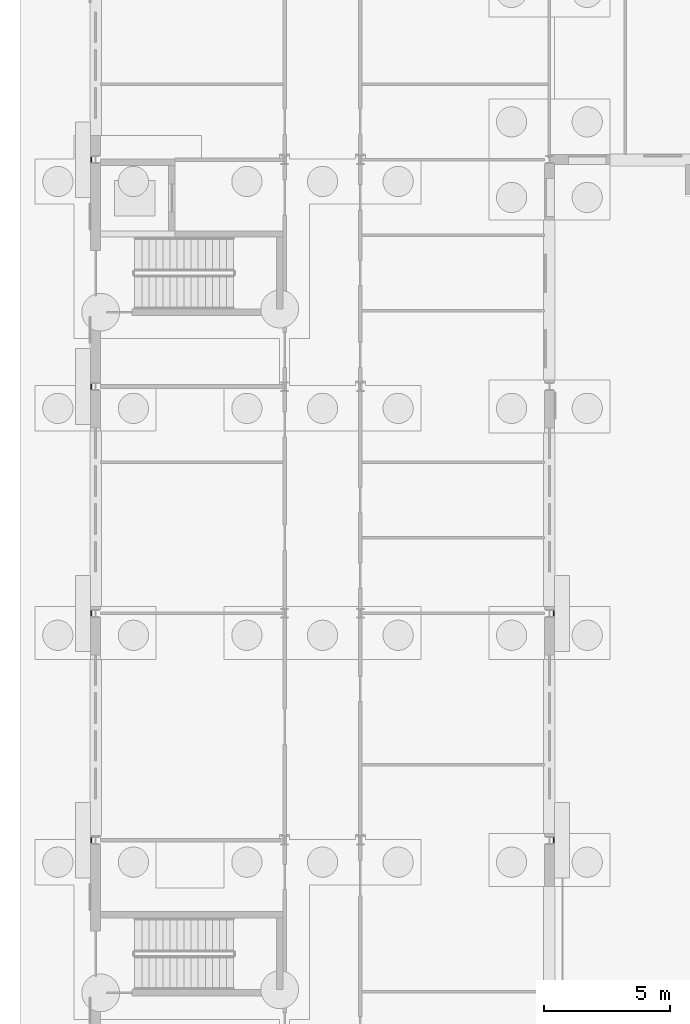
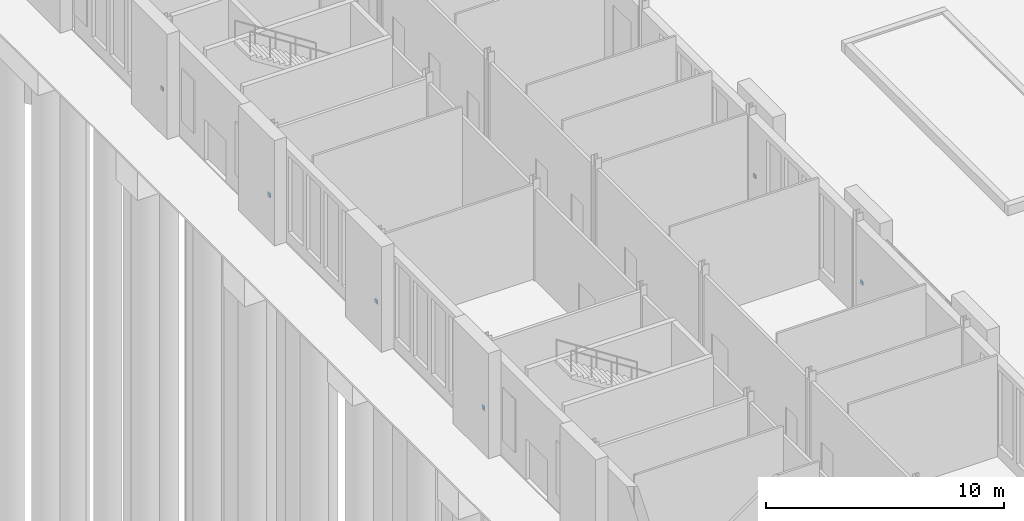
# One storey, part 118 of 168: 6 discrete accessories.
"""IFC4 building model written with IfcOpenShell, lengths in metres."""

import ifcopenshell
import ifcopenshell.guid

model = None  # the IFC model being written
_history = None  # IfcOwnerHistory: only IFC2X3 demands one
_inside = {}  # id of a spatial element -> (the spatial element, [elements in it])
_under = {}  # id of a project, library or spatial element -> (it, [spatial elements below it])
_declared = {}  # id of a project -> (the project, [libraries it declares])
_typed = {}  # id of a type object -> (the type object, [elements of that type])
_made_of = {}  # id of a material, layer set ... -> (it, [elements and type objects made of it])


def new_model(schema):
    """Start an empty IFC model of exactly this schema.

    Asked for "IFC4X3", IfcOpenShell would pick the latest addendum, in which some entities
    have other attributes; the version numbers below select the first issue.
    IFC2X3 requires an IfcOwnerHistory on every rooted entity: one is made here for all.
    """
    global model, _history
    if schema == "IFC4X3":
        model = ifcopenshell.file(schema_version=(4, 3, 0, 0))
    else:
        model = ifcopenshell.file(schema=schema)
    _inside.clear()
    _under.clear()
    _declared.clear()
    _typed.clear()
    _made_of.clear()
    _history = None
    if model.schema == "IFC2X3":
        org = make("IfcOrganization", Name="unknown")
        user = make(
            "IfcPersonAndOrganization",
            ThePerson=make("IfcPerson", FamilyName="unknown"),
            TheOrganization=org,
        )
        app = make(
            "IfcApplication",
            ApplicationDeveloper=org,
            Version="unknown",
            ApplicationFullName="unknown",
            ApplicationIdentifier="unknown",
        )
        _history = make(
            "IfcOwnerHistory",
            OwningUser=user,
            OwningApplication=app,
            ChangeAction="ADDED",
            CreationDate=0,
        )
    return model


def make(cls, **values):
    """One entity of the class cls with the attributes given. An attribute that is None is left unset."""
    return model.create_entity(
        cls, **{name: value for name, value in values.items() if value is not None}
    )


def rooted(cls, **values):
    """An entity with a GlobalId (a new one), such as an element, a storey or a relation."""
    return make(cls, GlobalId=ifcopenshell.guid.new(), OwnerHistory=_history, **values)


def si_unit(unit_type, name, prefix=None):
    """IfcSIUnit, for example si_unit("LENGTHUNIT", "METRE", prefix="MILLI")."""
    return make("IfcSIUnit", UnitType=unit_type, Prefix=prefix, Name=name)


def assignment(units):
    """IfcUnitAssignment: the units of a project."""
    return None if units is None else make("IfcUnitAssignment", Units=units)


def point(xyz):
    """IfcCartesianPoint."""
    return None if xyz is None else make("IfcCartesianPoint", Coordinates=xyz)


def direction(xyz):
    """IfcDirection."""
    return None if xyz is None else make("IfcDirection", DirectionRatios=xyz)


def frame(location, z_axis=None, x_axis=None):
    """IfcAxis2Placement3D, a coordinate frame: its origin and axes. An axis left out is left unset."""
    return make(
        "IfcAxis2Placement3D",
        Location=point(location),
        Axis=direction(z_axis),
        RefDirection=direction(x_axis),
    )


def frame_2d(location, x_axis=None):
    """IfcAxis2Placement2D, a coordinate frame in the plane: its origin and x axis."""
    return make(
        "IfcAxis2Placement2D", Location=point(location), RefDirection=direction(x_axis)
    )


def origin():
    """The frame at (0, 0, 0) with its axes left unset."""
    return frame((0.0, 0.0, 0.0))


def origin_2d():
    """The frame at (0, 0) in the plane with its x axis left unset."""
    return frame_2d((0.0, 0.0))


def place(relative_to, where):
    """IfcLocalPlacement: puts the frame where relative to a parent placement (None: the world)."""
    return make(
        "IfcLocalPlacement", PlacementRelTo=relative_to, RelativePlacement=where
    )


def context(
    kind, dimensions, precision=None, world=None, true_north=None, identifier=None
):
    """IfcGeometricRepresentationContext, for example the 3D "Model" context."""
    return make(
        "IfcGeometricRepresentationContext",
        ContextIdentifier=identifier,
        ContextType=kind,
        CoordinateSpaceDimension=dimensions,
        Precision=precision,
        WorldCoordinateSystem=world,
        TrueNorth=true_north,
    )


def subcontext(parent, identifier, kind, view, scale=None):
    """IfcGeometricRepresentationSubContext, for example "Body" below "Model"."""
    return make(
        "IfcGeometricRepresentationSubContext",
        ContextIdentifier=identifier,
        ContextType=kind,
        ParentContext=parent,
        TargetScale=scale,
        TargetView=view,
    )


def project(units=None, contexts=None):
    """IfcProject with its units and contexts."""
    return rooted(
        "IfcProject",
        Name="project",
        RepresentationContexts=contexts,
        UnitsInContext=assignment(units),
    )


def spatial(cls, under=None, at=None, **own):
    """A site, building, storey or space (cls), placed at a placement, below another one or the project."""
    s = rooted(cls, ObjectPlacement=at, **own)
    if under is not None:
        _under.setdefault(under.id(), (under, []))[1].append(s)
    return s


def profile(cls, at=None, kind="AREA", **sizes):
    """A parametric profile (cls). Its sizes go by their IFC names, for example OverallWidth=200.0."""
    return make(cls, ProfileType=kind, Position=at, **sizes)


def rectangle(**sizes):
    """IfcRectangleProfileDef."""
    return profile("IfcRectangleProfileDef", **sizes)


def extrude(swept, where, along, depth):
    """IfcExtrudedAreaSolid: the profile swept, set in the frame where, extruded along a direction by depth."""
    return make(
        "IfcExtrudedAreaSolid",
        SweptArea=swept,
        Position=where,
        ExtrudedDirection=direction(along),
        Depth=depth,
    )


def shape(context_of_items, identifier, shape_type, items):
    """IfcShapeRepresentation: the items that make up one representation, for example the "Body"."""
    return make(
        "IfcShapeRepresentation",
        ContextOfItems=context_of_items,
        RepresentationIdentifier=identifier,
        RepresentationType=shape_type,
        Items=items,
    )


def material(Name=None, Category=None):
    """IfcMaterial."""
    return make("IfcMaterial", Name=Name, Category=Category)


def made_of(thing, what):
    """Note that an element or type object is made of a material, layer set ...; save() writes the relation."""
    if what is not None:
        _made_of.setdefault(what.id(), (what, []))[1].append(thing)
    return thing


def type_object(cls, material=None, **own):
    """A type object (cls), such as IfcWallType, which elements share."""
    return made_of(rooted(cls, **own), material)


def element(
    cls,
    number,
    at=None,
    inside=None,
    cuts=None,
    type_object=None,
    material=None,
    context=None,
    identifier="Body",
    shape_type=None,
    held_by="IfcProductDefinitionShape",
    body=None,
    shapes=None,
    **own,
):
    """One element of the class cls, such as IfcWall. Its Tag is "e" and its number.

    at: its placement. inside: the storey or other place that contains it. cuts: it is an
    opening in that element (IfcRelVoidsElement). A single representation is given by context,
    identifier, shape_type and body (its items); several are given by shapes. held_by: the class
    of the entity that holds the representations. save() writes the other relations.
    """
    e = rooted(cls, Tag="e%d" % number, ObjectPlacement=at, **own)
    if body is not None:
        shapes = [shape(context, identifier, shape_type, body)]
    if shapes is not None:
        e.Representation = make(held_by, Representations=shapes)
    if inside is not None:
        _inside.setdefault(inside.id(), (inside, []))[1].append(e)
    if cuts is not None:
        rooted(
            "IfcRelVoidsElement", RelatingBuildingElement=cuts, RelatedOpeningElement=e
        )
    if type_object is not None:
        _typed.setdefault(type_object.id(), (type_object, []))[1].append(e)
    return made_of(e, material)


def aggregate(whole, parts):
    """IfcRelAggregates: a whole, such as a stair, and the parts it consists of."""
    return rooted("IfcRelAggregates", RelatingObject=whole, RelatedObjects=parts)


def save(model, path):
    """Write the relations noted so far, then the file.

    IfcRelAggregates (storeys below a building ...), IfcRelContainedInSpatialStructure (elements
    in a storey), IfcRelDefinesByType, IfcRelAssociatesMaterial and IfcRelDeclares: one each for
    every whole, place, type object, material and project.
    """
    for whole, parts in _under.values():
        aggregate(whole, parts)
    for where, things in _inside.values():
        rooted(
            "IfcRelContainedInSpatialStructure",
            RelatedElements=things,
            RelatingStructure=where,
        )
    for kind, things in _typed.values():
        rooted("IfcRelDefinesByType", RelatedObjects=things, RelatingType=kind)
    for what, things in _made_of.values():
        rooted("IfcRelAssociatesMaterial", RelatedObjects=things, RelatingMaterial=what)
    for by, libraries in _declared.values():
        rooted("IfcRelDeclares", RelatingContext=by, RelatedDefinitions=libraries)
    model.write(path)


model = new_model("IFC4")

# Units and contexts
model_context = context("Model", 3, precision=1e-05, world=origin(), true_north=direction((0.0, 1.0)))
body_context = subcontext(model_context, "Body", "Model", "MODEL_VIEW")
ifc_project = project(units=[si_unit("LENGTHUNIT", "METRE"), si_unit("AREAUNIT", "SQUARE_METRE"), si_unit("VOLUMEUNIT", "CUBIC_METRE"), si_unit("PLANEANGLEUNIT", "RADIAN"), si_unit("MASSUNIT", "GRAM", prefix="KILO")], contexts=[model_context])

# Site, building, storey
site_placement = place(None, origin())
site = spatial("IfcSite", under=ifc_project, at=site_placement, CompositionType="ELEMENT")
building_placement = place(site_placement, origin())
building = spatial("IfcBuilding", under=site, at=building_placement, Name="Golden Quay Civic Hall", CompositionType="ELEMENT")
storey_placement = place(building_placement, origin())
storey = spatial("IfcBuildingStorey", under=building, at=storey_placement, Name="L00", CompositionType="ELEMENT", Elevation=0.0)

# Discrete accessories
ifc_material = material(Name="Steel S355", Category="steel")
discrete_accessory_type = type_object("IfcDiscreteAccessoryType", Name="Pier fixing bracket 200 x 200", PredefinedType="BRACKET", material=ifc_material)
for number, where, z_axis, x_axis, name in (
    (1, (-0.175048828125, 36.0, 1.39990234375), (0.0, 0.0, 1.0), (0.0, -1.0, 0.0), "Pier fixing bracket 200 x 200 L00 4"),
    (2, (-0.175048828125, 45.0, 1.39990234375), (0.0, 0.0, 1.0), (0.0, -1.0, 0.0), "Pier fixing bracket 200 x 200 L00 5"),
    (3, (-0.175048828125, 54.0, 1.39990234375), (0.0, 0.0, 1.0), (0.0, -1.0, 0.0), "Pier fixing bracket 200 x 200 L00 6"),
    (4, (-0.175048828125, 63.0, 1.39990234375), (0.0, 0.0, 1.0), (0.0, -1.0, 0.0), "Pier fixing bracket 200 x 200 L00 7"),
    (5, (18.175048828125, 36.0, 1.39990234375), (0.0, 0.0, 1.0), (0.0, 1.0, 0.0), "Pier fixing bracket 200 x 200 L00 11"),
    (6, (18.175048828125, 45.0, 1.39990234375), (0.0, 0.0, 1.0), (0.0, 1.0, 0.0), "Pier fixing bracket 200 x 200 L00 12"),
):
    element("IfcDiscreteAccessory", number, at=place(storey_placement, frame(where, z_axis=z_axis, x_axis=x_axis)), inside=storey, type_object=discrete_accessory_type, Name=name, PredefinedType="BRACKET", context=body_context, shape_type="SweptSolid", body=[
        extrude(rectangle(XDim=0.199951171875, YDim=0.050048828125, at=origin_2d()), origin(), (0.0, 0.0, 1.0), 0.199951171875),
    ])

save(model, "model.ifc")
